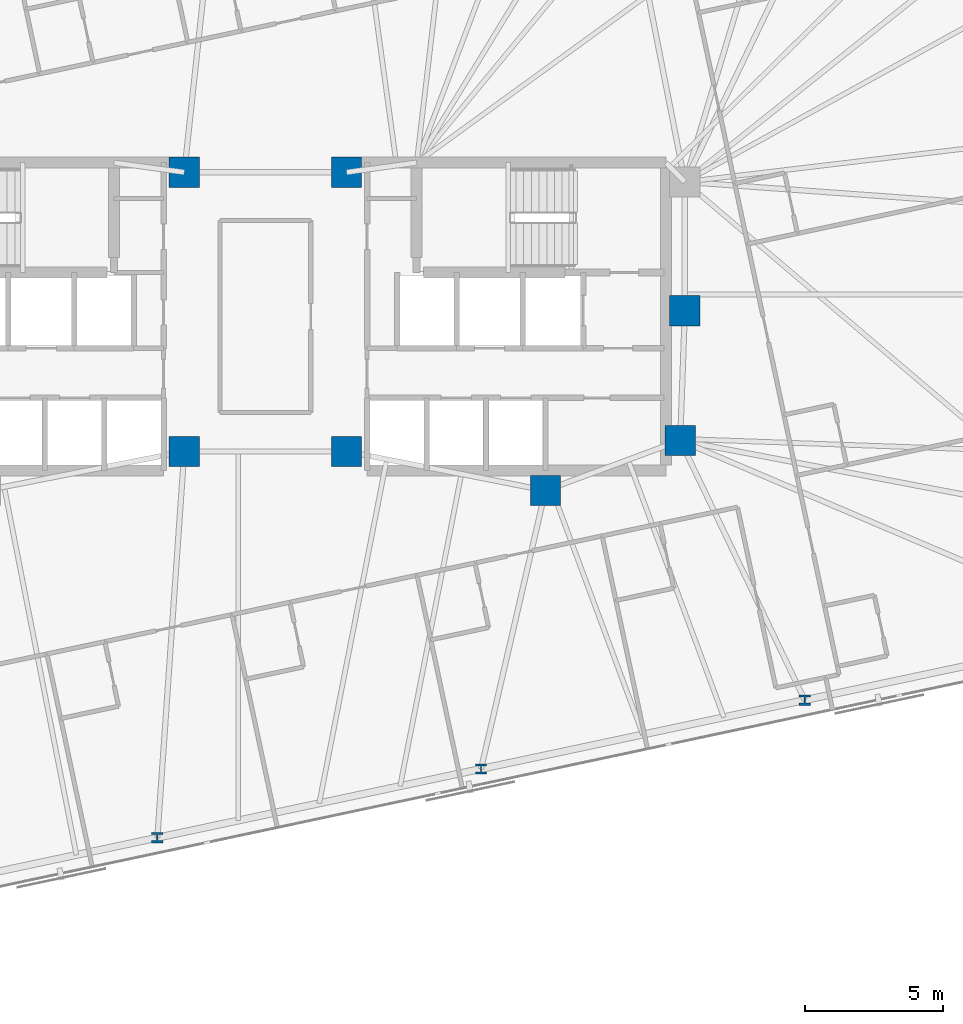
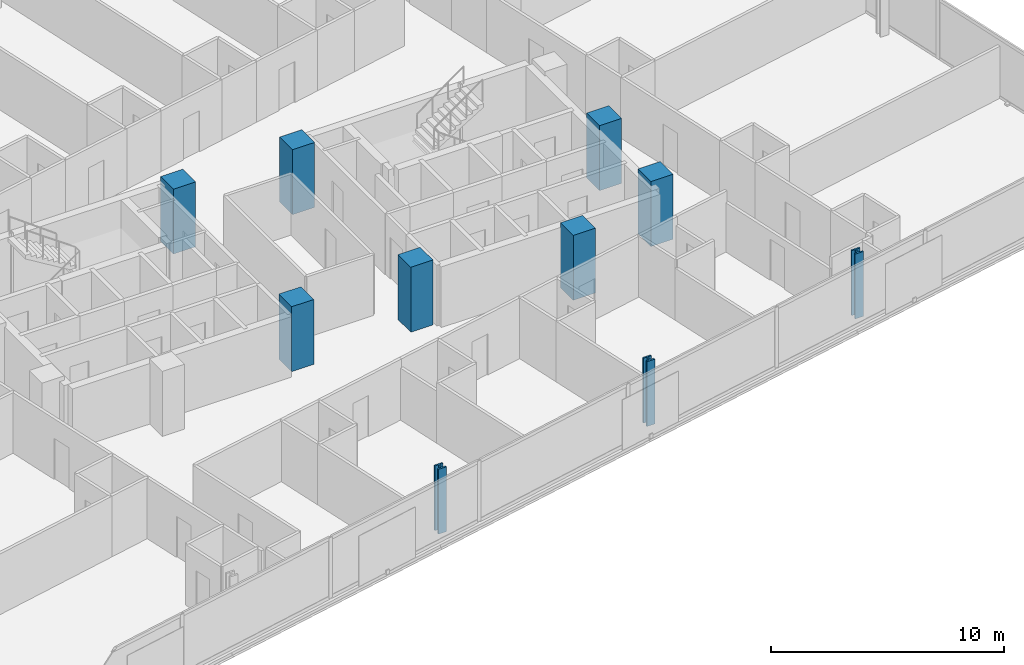
# One storey, part 3 of 20: 10 columns.
"""IFC4 building model written with IfcOpenShell, lengths in metres."""

from ifc_helpers import new_model, si_unit, direction, frame, origin, origin_2d, place, context, subcontext, project, spatial, rectangle, i_section, extrude, material, material_profile, profile_set, type_object, element, save


model = new_model("IFC4")

# Units and contexts
model_context = context("Model", 3, precision=1e-05, world=origin(), true_north=direction((0.0, 1.0)))
body_context = subcontext(model_context, "Body", "Model", "MODEL_VIEW")
ifc_project = project(units=[si_unit("LENGTHUNIT", "METRE"), si_unit("AREAUNIT", "SQUARE_METRE"), si_unit("VOLUMEUNIT", "CUBIC_METRE"), si_unit("PLANEANGLEUNIT", "RADIAN"), si_unit("MASSUNIT", "GRAM", prefix="KILO")], contexts=[model_context])

# Site, building, storey
site_placement = place(None, origin())
site = spatial("IfcSite", under=ifc_project, at=site_placement, CompositionType="ELEMENT")
building_placement = place(site_placement, origin())
building = spatial("IfcBuilding", under=site, at=building_placement, Name="Menara Jurai Vektor", CompositionType="ELEMENT")
storey_placement = place(building_placement, frame((0.0, 0.0, 158.199951171875)))
storey = spatial("IfcBuildingStorey", under=building, at=storey_placement, Name="L40", CompositionType="ELEMENT", Elevation=158.199951171875)

# Columns
ifc_material_1 = material(Name="Concrete C50/60", Category="concrete")
ifc_material_profile_1 = material_profile(ifc_material_1, rectangle(XDim=1.10009765625, YDim=1.10009765625, at=origin_2d()), Name="RC 1100x1100")
ifc_profile_set_1 = profile_set([ifc_material_profile_1], Name="Concrete C50/60")
column_type_1 = type_object("IfcColumnType", Name="STR-COL-RC1100", PredefinedType="COLUMN", material=ifc_profile_set_1)
for number, where, z_axis, x_axis, name in (
    (1, (-2.949951171875, -4.89990234375, 0.0), (0.0, 0.0, 1.0), (1.0, 0.0, 0.0), "Core Spine Column CW-SE L40"),
    (2, (-2.949951171875, 5.25, 0.0), (0.0, 0.0, 1.0), (1.0, 0.0, 0.0), "Core Spine Column CW-NE L40"),
    (3, (15.25, 0.219970703125, 0.0), (0.0, 0.0, 1.0), (1.0, 0.0, 0.0), "Core Spine Column CE-EM L40"),
    (4, (15.080078125, -4.5, 0.0), (0.0, 0.0, 1.0), (1.0, 0.0, 0.0), "Core Spine Column CE-SE L40"),
    (5, (10.179931640625, -6.320068359375, 0.0), (0.0, 0.0, 1.0), (1.0, 0.0, 0.0), "Core Spine Column CE-SM L40"),
    (6, (2.949951171875, -4.89990234375, 0.0), (0.0, 0.0, 1.0), (1.0, 0.0, 0.0), "Core Spine Column CE-SW L40"),
    (7, (2.949951171875, 5.25, 0.0), (0.0, 0.0, 1.0), (1.0, 0.0, 0.0), "Core Spine Column CE-NW L40"),
):
    element("IfcColumn", number, at=place(storey_placement, frame(where, z_axis=z_axis, x_axis=x_axis)), inside=storey, type_object=column_type_1, Name=name, PredefinedType="COLUMN", context=body_context, shape_type="SweptSolid", body=[
        extrude(rectangle(XDim=1.10009765625, YDim=1.10009765625, at=origin_2d()), origin(), (0.0, 0.0, 1.0), 3.400146484375),
    ])
ifc_material_2 = material(Name="Steel S460", Category="steel")
ifc_material_profile_2 = material_profile(ifc_material_2, i_section(OverallWidth=0.408935546875, OverallDepth=0.3740234375, WebThickness=0.048095703125, FlangeThickness=0.076904296875, FilletRadius=0.014892578125, at=origin_2d()), Name="HD 400x634")
ifc_profile_set_2 = profile_set([ifc_material_profile_2], Name="Steel S460")
column_type_2 = type_object("IfcColumnType", Name="STR-EXO-BLK3", PredefinedType="COLUMN", material=ifc_profile_set_2)
for number, where, z_axis, x_axis, name in (
    (8, (-3.928466796875, -18.94287109375, 0.0), (0.0, 0.0, 1.0), (1.0, 0.0, 0.0), "Exoskeleton Column BLK3-S3 L40"),
    (9, (7.83984375, -16.44140625, 0.0), (0.0, 0.0, 1.0), (1.0, 0.0, 0.0), "Exoskeleton Column BLK3-S4 L40"),
    (10, (19.608154296875, -13.940185546875, 0.0), (0.0, 0.0, 1.0), (1.0, 0.0, 0.0), "Exoskeleton Column BLK3-S5 L40"),
):
    element("IfcColumn", number, at=place(storey_placement, frame(where, z_axis=z_axis, x_axis=x_axis)), inside=storey, type_object=column_type_2, Name=name, PredefinedType="COLUMN", context=body_context, shape_type="SweptSolid", body=[
        extrude(i_section(OverallWidth=0.408935546875, OverallDepth=0.3740234375, WebThickness=0.048095703125, FlangeThickness=0.076904296875, FilletRadius=0.014892578125, at=origin_2d()), origin(), (0.0, 0.0, 1.0), 3.400146484375),
    ])

save(model, "model.ifc")
